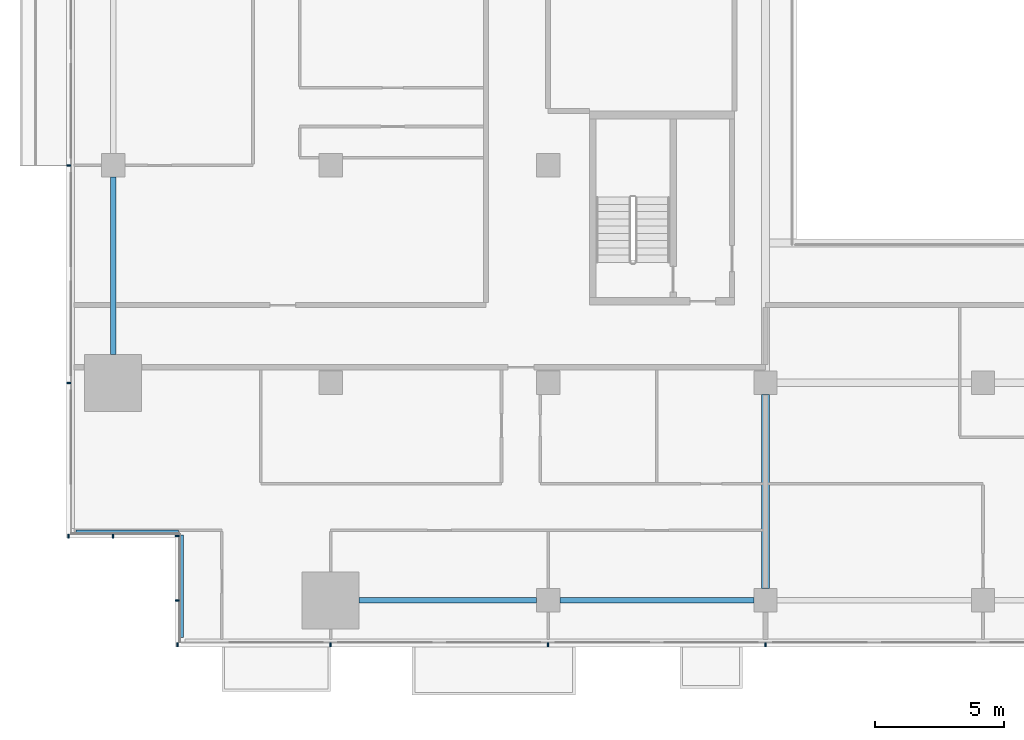
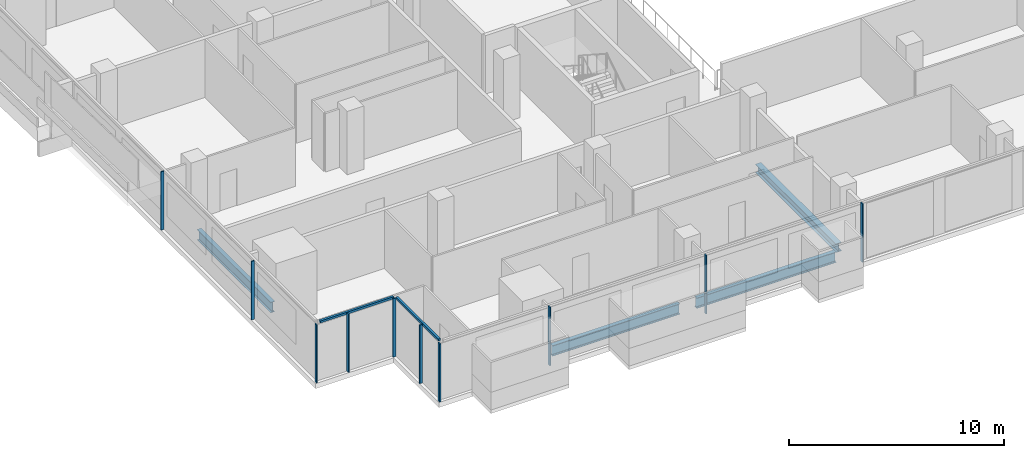
# One storey, part 2 of 28: 12 members, 4 beams, 4 elements without a shape of their own.
"""IFC4 building model written with IfcOpenShell, lengths in metres."""

from ifc_helpers import new_model, si_unit, direction, frame, origin, origin_2d, place, context, subcontext, project, spatial, rectangle, i_section, extrude, material, material_profile, profile_set, type_object, element, aggregate, save


model = new_model("IFC4")

# Units and contexts
model_context = context("Model", 3, precision=1e-05, world=origin(), true_north=direction((0.0, 1.0)))
body_context = subcontext(model_context, "Body", "Model", "MODEL_VIEW")
ifc_project = project(units=[si_unit("LENGTHUNIT", "METRE"), si_unit("AREAUNIT", "SQUARE_METRE"), si_unit("VOLUMEUNIT", "CUBIC_METRE"), si_unit("PLANEANGLEUNIT", "RADIAN"), si_unit("MASSUNIT", "GRAM", prefix="KILO")], contexts=[model_context])

# Site, building, storey
site_placement = place(None, origin())
site = spatial("IfcSite", under=ifc_project, at=site_placement, CompositionType="ELEMENT")
building_placement = place(site_placement, origin())
building = spatial("IfcBuilding", under=site, at=building_placement, Name="Saffron Gate Tower", CompositionType="ELEMENT")
storey_placement = place(building_placement, frame((0.0, 0.0, 51.60009765625)))
storey = spatial("IfcBuildingStorey", under=building, at=storey_placement, Name="L11", CompositionType="ELEMENT", Elevation=51.60009765625)

# Beams
ifc_material_1 = material(Name="Structural steel S355", Category="steel")
ifc_material_profile_1 = material_profile(ifc_material_1, i_section(OverallWidth=0.219970703125, OverallDepth=0.60009765625, WebThickness=0.011962890625, FlangeThickness=0.01904296875, FilletRadius=0.02392578125, at=origin_2d()))
ifc_profile_set_1 = profile_set([ifc_material_profile_1], Name="Structural steel S355")
beam_type_1 = type_object("IfcBeamType", Name="B16 IPE 600", PredefinedType="SPANDREL", material=ifc_profile_set_1)
for number, where, z_axis, x_axis, name in (
    (1, (49.800048828125, 41.300048828125, -0.580078125), (0.0, 1.0, 0.0), (-1.0, 0.0, 0.0), "B16 SPANDREL BEAM"),
    (2, (59.300048828125, 31.800048828125, -0.580078125), (1.0, 0.0, 0.0), (0.0, 1.0, 0.0), "B16 SPANDREL BEAM"),
):
    element("IfcBeam", number, at=place(storey_placement, frame(where, z_axis=z_axis, x_axis=x_axis)), inside=storey, type_object=beam_type_1, Name=name, PredefinedType="SPANDREL", context=body_context, shape_type="SweptSolid", body=[
        extrude(i_section(OverallWidth=0.219970703125, OverallDepth=0.60009765625, WebThickness=0.011962890625, FlangeThickness=0.01904296875, FilletRadius=0.02392578125, at=origin_2d()), origin(), (0.0, 0.0, 1.0), 6.849853515625),
    ])
beam_1_placement = place(storey_placement, frame((67.050048828125, 31.800048828125, -0.580078125), z_axis=(1.0, 0.0, 0.0), x_axis=(0.0, 1.0, 0.0)))
element("IfcBeam", 3, at=beam_1_placement, inside=storey, type_object=beam_type_1, Name="B16 SPANDREL BEAM", PredefinedType="SPANDREL", context=body_context, shape_type="SweptSolid", body=[
    extrude(i_section(OverallWidth=0.219970703125, OverallDepth=0.60009765625, WebThickness=0.011962890625, FlangeThickness=0.01904296875, FilletRadius=0.02392578125, at=origin_2d()), origin(), (0.0, 0.0, 1.0), 7.5),
])
ifc_material_profile_2 = material_profile(ifc_material_1, i_section(OverallWidth=0.300048828125, OverallDepth=0.489990234375, WebThickness=0.011962890625, FlangeThickness=0.02294921875, FilletRadius=0.027099609375, at=origin_2d()))
ifc_profile_set_2 = profile_set([ifc_material_profile_2], Name="Structural steel S355")
beam_type_2 = type_object("IfcBeamType", Name="B8 HEA 500", PredefinedType="BEAM", material=ifc_profile_set_2)
beam_2_placement = place(storey_placement, frame((75.0, 32.25, -0.525146484375), z_axis=(0.0, 1.0, 0.0), x_axis=(-1.0, 0.0, 0.0)))
element("IfcBeam", 4, at=beam_2_placement, inside=storey, type_object=beam_type_2, Name="B8 FLOOR GIRDER", PredefinedType="BEAM", context=body_context, shape_type="SweptSolid", body=[
    extrude(i_section(OverallWidth=0.300048828125, OverallDepth=0.489990234375, WebThickness=0.011962890625, FlangeThickness=0.02294921875, FilletRadius=0.027099609375, at=origin_2d()), origin(), (0.0, 0.0, 1.0), 7.5),
])

# Curtain wall, members
ifc_material_2 = material(Name="Aluminium, bronze anodised", Category="aluminium")
curtain_wall_type_1 = type_object("IfcCurtainWallType", Name="CWS1 curtain wall front facade", PredefinedType="NOTDEFINED", material=ifc_material_2)
curtain_wall_1_placement = place(storey_placement, origin())
curtain_wall_1 = element("IfcCurtainWall", 5, at=curtain_wall_1_placement, inside=storey, type_object=curtain_wall_type_1, Name="CWS1 run 1", PredefinedType="NOTDEFINED")
ifc_material_profile_3 = material_profile(ifc_material_2, rectangle(XDim=0.159912109375, YDim=0.06005859375, at=origin_2d()))
ifc_profile_set_3 = profile_set([ifc_material_profile_3], Name="Aluminium, bronze anodised")
member_type_1 = type_object("IfcMemberType", Name="CWS1 mullion 60x160", PredefinedType="MULLION", material=ifc_profile_set_3)
member_1_placement = place(storey_placement, frame((52.280029296875, 30.080078125, 0.0), z_axis=(0.0, 0.0, 1.0), x_axis=(0.0, 1.0, 0.0)))
member_1 = element("IfcMember", 6, at=member_1_placement, type_object=member_type_1, Name="CWS1 mullion 1", PredefinedType="MULLION", context=body_context, shape_type="SweptSolid", body=[
    extrude(rectangle(XDim=0.159912109375, YDim=0.06005859375, at=origin_2d()), origin(), (0.0, 0.0, 1.0), 3.31982421875),
])
member_2_placement = place(storey_placement, frame((58.199951171875, 30.080078125, 0.0), z_axis=(0.0, 0.0, 1.0), x_axis=(0.0, 1.0, 0.0)))
member_2 = element("IfcMember", 7, at=member_2_placement, type_object=member_type_1, Name="CWS1 mullion 2", PredefinedType="MULLION", context=body_context, shape_type="SweptSolid", body=[
    extrude(rectangle(XDim=0.159912109375, YDim=0.06005859375, at=origin_2d()), origin(), (0.0, 0.0, 1.0), 3.31982421875),
])
member_3_placement = place(storey_placement, frame((66.60009765625, 30.080078125, 0.0), z_axis=(0.0, 0.0, 1.0), x_axis=(0.0, 1.0, 0.0)))
member_3 = element("IfcMember", 8, at=member_3_placement, type_object=member_type_1, Name="CWS1 mullion 3", PredefinedType="MULLION", context=body_context, shape_type="SweptSolid", body=[
    extrude(rectangle(XDim=0.159912109375, YDim=0.06005859375, at=origin_2d()), origin(), (0.0, 0.0, 1.0), 3.31982421875),
])
member_4_placement = place(storey_placement, frame((75.0, 30.080078125, 0.0), z_axis=(0.0, 0.0, 1.0), x_axis=(0.0, 1.0, 0.0)))
member_4 = element("IfcMember", 9, at=member_4_placement, type_object=member_type_1, Name="CWS1 mullion 4", PredefinedType="MULLION", context=body_context, shape_type="SweptSolid", body=[
    extrude(rectangle(XDim=0.159912109375, YDim=0.06005859375, at=origin_2d()), origin(), (0.0, 0.0, 1.0), 3.31982421875),
])
aggregate(curtain_wall_1, [member_1, member_2, member_3, member_4])

curtain_wall_type_2 = type_object("IfcCurtainWallType", Name="CWS2 curtain wall side facades", PredefinedType="NOTDEFINED", material=ifc_material_2)
curtain_wall_2_placement = place(storey_placement, origin())
curtain_wall_2 = element("IfcCurtainWall", 10, at=curtain_wall_2_placement, inside=storey, type_object=curtain_wall_type_2, Name="CWS2 run 10", PredefinedType="NOTDEFINED")
ifc_material_profile_4 = material_profile(ifc_material_2, rectangle(XDim=0.159912109375, YDim=0.06005859375, at=origin_2d()))
ifc_profile_set_4 = profile_set([ifc_material_profile_4], Name="Aluminium, bronze anodised")
member_type_2 = type_object("IfcMemberType", Name="CWS2 mullion 60x160", PredefinedType="MULLION", material=ifc_profile_set_4)
member_5_placement = place(storey_placement, frame((48.080078125, 48.60009765625, 0.0), z_axis=(0.0, 0.0, 1.0), x_axis=(1.0, 0.0, 0.0)))
member_5 = element("IfcMember", 11, at=member_5_placement, type_object=member_type_2, Name="CWS2 mullion 4", PredefinedType="MULLION", context=body_context, shape_type="SweptSolid", body=[
    extrude(rectangle(XDim=0.159912109375, YDim=0.06005859375, at=origin_2d()), origin(), (0.0, 0.0, 1.0), 3.31982421875),
])
member_6_placement = place(storey_placement, frame((48.080078125, 40.199951171875, 0.0), z_axis=(0.0, 0.0, 1.0), x_axis=(1.0, 0.0, 0.0)))
member_6 = element("IfcMember", 12, at=member_6_placement, type_object=member_type_2, Name="CWS2 mullion 5", PredefinedType="MULLION", context=body_context, shape_type="SweptSolid", body=[
    extrude(rectangle(XDim=0.159912109375, YDim=0.06005859375, at=origin_2d()), origin(), (0.0, 0.0, 1.0), 3.31982421875),
])
aggregate(curtain_wall_2, [member_5, member_6])

# Curtain wall, member
curtain_wall_type_3 = type_object("IfcCurtainWallType", Name="CWS4 curtain wall corner returns", PredefinedType="NOTDEFINED", material=ifc_material_2)
curtain_wall_3_placement = place(storey_placement, origin())
curtain_wall_3 = element("IfcCurtainWall", 13, at=curtain_wall_3_placement, inside=storey, type_object=curtain_wall_type_3, Name="CWS4 run 11", PredefinedType="NOTDEFINED")
ifc_material_profile_5 = material_profile(ifc_material_2, rectangle(XDim=0.1201171875, YDim=0.1201171875, at=origin_2d()))
ifc_profile_set_5 = profile_set([ifc_material_profile_5], Name="Aluminium, bronze anodised")
member_type_3 = type_object("IfcMemberType", Name="CWS4 head transom", PredefinedType="USERDEFINED", material=ifc_profile_set_5)
member_7_placement = place(storey_placement, frame((48.367919921875, 34.447998046875, 3.260009765625), z_axis=(1.0, 0.0, 0.0), x_axis=(0.0, 1.0, 0.0)))
member_7 = element("IfcMember", 14, at=member_7_placement, type_object=member_type_3, Name="CWS4 head transom", ObjectType="TRANSOM", PredefinedType="USERDEFINED", context=body_context, shape_type="SweptSolid", body=[
    extrude(rectangle(XDim=0.1201171875, YDim=0.1201171875, at=origin_2d()), origin(), (0.0, 0.0, 1.0), 3.9599609375),
])

curtain_wall_4_placement = place(storey_placement, origin())
curtain_wall_4 = element("IfcCurtainWall", 15, at=curtain_wall_4_placement, inside=storey, type_object=curtain_wall_type_3, Name="CWS4 run 12", PredefinedType="NOTDEFINED")
member_8_placement = place(storey_placement, frame((52.447998046875, 34.327880859375, 3.260009765625), z_axis=(0.0, -1.0, 0.0), x_axis=(1.0, 0.0, 0.0)))
member_8 = element("IfcMember", 16, at=member_8_placement, type_object=member_type_3, Name="CWS4 head transom", ObjectType="TRANSOM", PredefinedType="USERDEFINED", context=body_context, shape_type="SweptSolid", body=[
    extrude(rectangle(XDim=0.1201171875, YDim=0.1201171875, at=origin_2d()), origin(), (0.0, 0.0, 1.0), 3.9599609375),
])

# Member
ifc_material_profile_6 = material_profile(ifc_material_2, rectangle(XDim=0.159912109375, YDim=0.06005859375, at=origin_2d()))
ifc_profile_set_6 = profile_set([ifc_material_profile_6], Name="Aluminium, bronze anodised")
member_type_4 = type_object("IfcMemberType", Name="CWS4 mullion 60x160", PredefinedType="MULLION", material=ifc_profile_set_6)
member_9_placement = place(storey_placement, frame((48.080078125, 34.280029296875, 0.0), z_axis=(0.0, 0.0, 1.0), x_axis=(0.0, 1.0, 0.0)))
member_9 = element("IfcMember", 17, at=member_9_placement, type_object=member_type_4, Name="CWS4 mullion 1", PredefinedType="MULLION", context=body_context, shape_type="SweptSolid", body=[
    extrude(rectangle(XDim=0.159912109375, YDim=0.06005859375, at=origin_2d()), origin(), (0.0, 0.0, 1.0), 3.31982421875),
])

member_10_placement = place(storey_placement, frame((49.800048828125, 34.280029296875, 0.0), z_axis=(0.0, 0.0, 1.0), x_axis=(0.0, 1.0, 0.0)))
member_10 = element("IfcMember", 18, at=member_10_placement, type_object=member_type_4, Name="CWS4 mullion 2", PredefinedType="MULLION", context=body_context, shape_type="SweptSolid", body=[
    extrude(rectangle(XDim=0.159912109375, YDim=0.06005859375, at=origin_2d()), origin(), (0.0, 0.0, 1.0), 3.31982421875),
])

aggregate(curtain_wall_3, [member_9, member_10, member_7])

member_11_placement = place(storey_placement, frame((52.280029296875, 34.280029296875, 0.0), z_axis=(0.0, 0.0, 1.0), x_axis=(1.0, 0.0, 0.0)))
member_11 = element("IfcMember", 19, at=member_11_placement, type_object=member_type_4, Name="CWS4 mullion 1", PredefinedType="MULLION", context=body_context, shape_type="SweptSolid", body=[
    extrude(rectangle(XDim=0.159912109375, YDim=0.06005859375, at=origin_2d()), origin(), (0.0, 0.0, 1.0), 3.31982421875),
])

member_12_placement = place(storey_placement, frame((52.280029296875, 31.800048828125, 0.0), z_axis=(0.0, 0.0, 1.0), x_axis=(1.0, 0.0, 0.0)))
member_12 = element("IfcMember", 20, at=member_12_placement, type_object=member_type_4, Name="CWS4 mullion 2", PredefinedType="MULLION", context=body_context, shape_type="SweptSolid", body=[
    extrude(rectangle(XDim=0.159912109375, YDim=0.06005859375, at=origin_2d()), origin(), (0.0, 0.0, 1.0), 3.31982421875),
])

aggregate(curtain_wall_4, [member_11, member_12, member_8])

save(model, "model.ifc")
